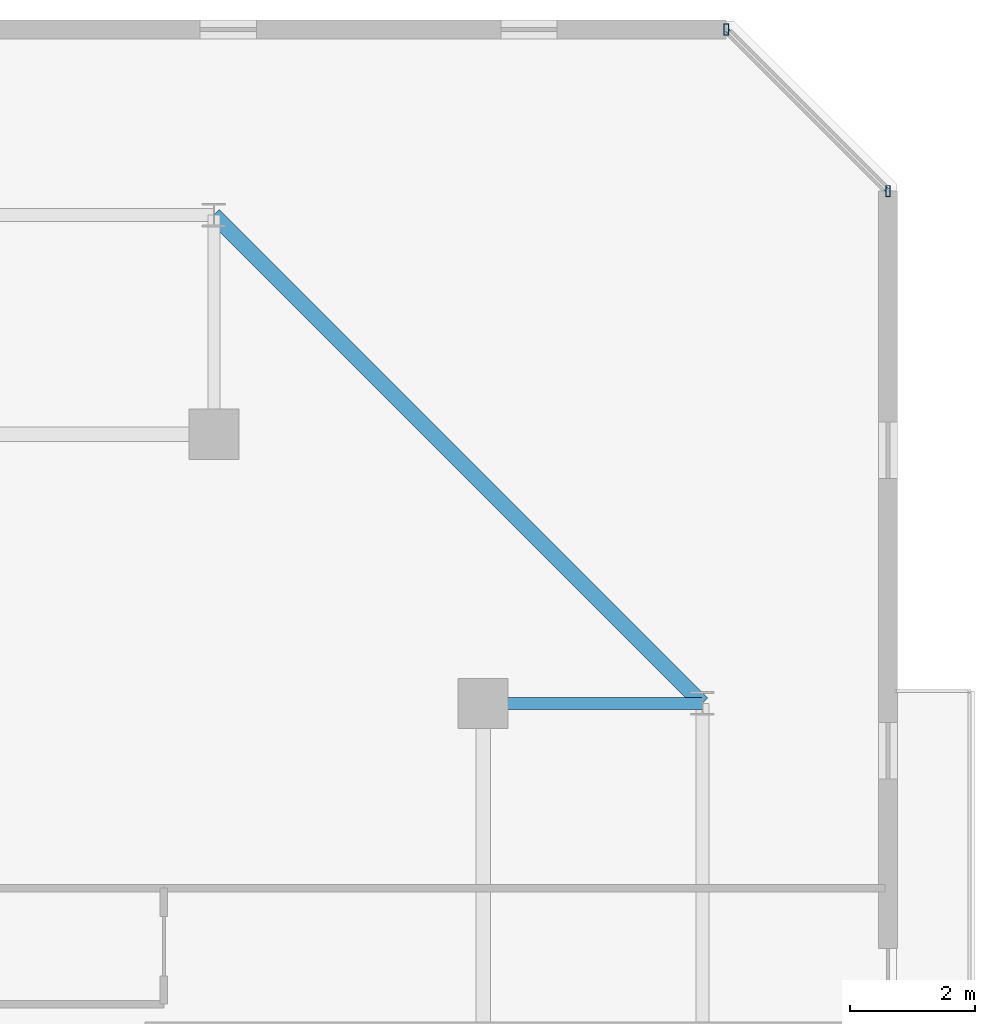
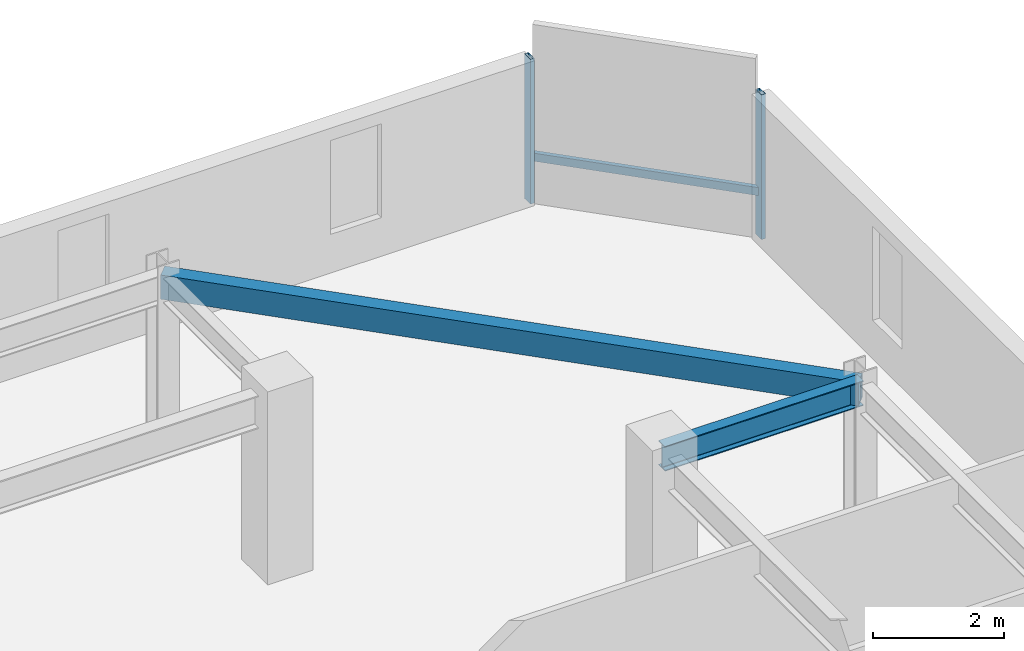
# One storey, part 19 of 35: 3 members, 2 beams, 1 element without a shape of its own.
"""IFC4 building model written with IfcOpenShell, lengths in metres."""

import ifcopenshell
import ifcopenshell.guid

model = None  # the IFC model being written
_history = None  # IfcOwnerHistory: only IFC2X3 demands one
_inside = {}  # id of a spatial element -> (the spatial element, [elements in it])
_under = {}  # id of a project, library or spatial element -> (it, [spatial elements below it])
_declared = {}  # id of a project -> (the project, [libraries it declares])
_typed = {}  # id of a type object -> (the type object, [elements of that type])
_made_of = {}  # id of a material, layer set ... -> (it, [elements and type objects made of it])


def new_model(schema):
    """Start an empty IFC model of exactly this schema.

    Asked for "IFC4X3", IfcOpenShell would pick the latest addendum, in which some entities
    have other attributes; the version numbers below select the first issue.
    IFC2X3 requires an IfcOwnerHistory on every rooted entity: one is made here for all.
    """
    global model, _history
    if schema == "IFC4X3":
        model = ifcopenshell.file(schema_version=(4, 3, 0, 0))
    else:
        model = ifcopenshell.file(schema=schema)
    _inside.clear()
    _under.clear()
    _declared.clear()
    _typed.clear()
    _made_of.clear()
    _history = None
    if model.schema == "IFC2X3":
        org = make("IfcOrganization", Name="unknown")
        user = make(
            "IfcPersonAndOrganization",
            ThePerson=make("IfcPerson", FamilyName="unknown"),
            TheOrganization=org,
        )
        app = make(
            "IfcApplication",
            ApplicationDeveloper=org,
            Version="unknown",
            ApplicationFullName="unknown",
            ApplicationIdentifier="unknown",
        )
        _history = make(
            "IfcOwnerHistory",
            OwningUser=user,
            OwningApplication=app,
            ChangeAction="ADDED",
            CreationDate=0,
        )
    return model


def make(cls, **values):
    """One entity of the class cls with the attributes given. An attribute that is None is left unset."""
    return model.create_entity(
        cls, **{name: value for name, value in values.items() if value is not None}
    )


def rooted(cls, **values):
    """An entity with a GlobalId (a new one), such as an element, a storey or a relation."""
    return make(cls, GlobalId=ifcopenshell.guid.new(), OwnerHistory=_history, **values)


def si_unit(unit_type, name, prefix=None):
    """IfcSIUnit, for example si_unit("LENGTHUNIT", "METRE", prefix="MILLI")."""
    return make("IfcSIUnit", UnitType=unit_type, Prefix=prefix, Name=name)


def assignment(units):
    """IfcUnitAssignment: the units of a project."""
    return None if units is None else make("IfcUnitAssignment", Units=units)


def point(xyz):
    """IfcCartesianPoint."""
    return None if xyz is None else make("IfcCartesianPoint", Coordinates=xyz)


def direction(xyz):
    """IfcDirection."""
    return None if xyz is None else make("IfcDirection", DirectionRatios=xyz)


def frame(location, z_axis=None, x_axis=None):
    """IfcAxis2Placement3D, a coordinate frame: its origin and axes. An axis left out is left unset."""
    return make(
        "IfcAxis2Placement3D",
        Location=point(location),
        Axis=direction(z_axis),
        RefDirection=direction(x_axis),
    )


def frame_2d(location, x_axis=None):
    """IfcAxis2Placement2D, a coordinate frame in the plane: its origin and x axis."""
    return make(
        "IfcAxis2Placement2D", Location=point(location), RefDirection=direction(x_axis)
    )


def origin():
    """The frame at (0, 0, 0) with its axes left unset."""
    return frame((0.0, 0.0, 0.0))


def origin_2d():
    """The frame at (0, 0) in the plane with its x axis left unset."""
    return frame_2d((0.0, 0.0))


def place(relative_to, where):
    """IfcLocalPlacement: puts the frame where relative to a parent placement (None: the world)."""
    return make(
        "IfcLocalPlacement", PlacementRelTo=relative_to, RelativePlacement=where
    )


def context(
    kind, dimensions, precision=None, world=None, true_north=None, identifier=None
):
    """IfcGeometricRepresentationContext, for example the 3D "Model" context."""
    return make(
        "IfcGeometricRepresentationContext",
        ContextIdentifier=identifier,
        ContextType=kind,
        CoordinateSpaceDimension=dimensions,
        Precision=precision,
        WorldCoordinateSystem=world,
        TrueNorth=true_north,
    )


def subcontext(parent, identifier, kind, view, scale=None):
    """IfcGeometricRepresentationSubContext, for example "Body" below "Model"."""
    return make(
        "IfcGeometricRepresentationSubContext",
        ContextIdentifier=identifier,
        ContextType=kind,
        ParentContext=parent,
        TargetScale=scale,
        TargetView=view,
    )


def project(units=None, contexts=None):
    """IfcProject with its units and contexts."""
    return rooted(
        "IfcProject",
        Name="project",
        RepresentationContexts=contexts,
        UnitsInContext=assignment(units),
    )


def spatial(cls, under=None, at=None, **own):
    """A site, building, storey or space (cls), placed at a placement, below another one or the project."""
    s = rooted(cls, ObjectPlacement=at, **own)
    if under is not None:
        _under.setdefault(under.id(), (under, []))[1].append(s)
    return s


def profile(cls, at=None, kind="AREA", **sizes):
    """A parametric profile (cls). Its sizes go by their IFC names, for example OverallWidth=200.0."""
    return make(cls, ProfileType=kind, Position=at, **sizes)


def hollow_rectangle(**sizes):
    """IfcRectangleHollowProfileDef."""
    return profile("IfcRectangleHollowProfileDef", **sizes)


def i_section(**sizes):
    """IfcIShapeProfileDef."""
    return profile("IfcIShapeProfileDef", **sizes)


def extrude(swept, where, along, depth):
    """IfcExtrudedAreaSolid: the profile swept, set in the frame where, extruded along a direction by depth."""
    return make(
        "IfcExtrudedAreaSolid",
        SweptArea=swept,
        Position=where,
        ExtrudedDirection=direction(along),
        Depth=depth,
    )


def shape(context_of_items, identifier, shape_type, items):
    """IfcShapeRepresentation: the items that make up one representation, for example the "Body"."""
    return make(
        "IfcShapeRepresentation",
        ContextOfItems=context_of_items,
        RepresentationIdentifier=identifier,
        RepresentationType=shape_type,
        Items=items,
    )


def material(Name=None, Category=None):
    """IfcMaterial."""
    return make("IfcMaterial", Name=Name, Category=Category)


def material_profile(
    of_material, cross_section, Name=None, Category=None, Priority=None
):
    """IfcMaterialProfile: a cross section and its material."""
    return make(
        "IfcMaterialProfile",
        Name=Name,
        Material=of_material,
        Profile=cross_section,
        Priority=Priority,
        Category=Category,
    )


def profile_set(profiles, Name=None, composite=None):
    """IfcMaterialProfileSet."""
    return make(
        "IfcMaterialProfileSet",
        Name=Name,
        MaterialProfiles=profiles,
        CompositeProfile=composite,
    )


def made_of(thing, what):
    """Note that an element or type object is made of a material, layer set ...; save() writes the relation."""
    if what is not None:
        _made_of.setdefault(what.id(), (what, []))[1].append(thing)
    return thing


def type_object(cls, material=None, **own):
    """A type object (cls), such as IfcWallType, which elements share."""
    return made_of(rooted(cls, **own), material)


def element(
    cls,
    number,
    at=None,
    inside=None,
    cuts=None,
    type_object=None,
    material=None,
    context=None,
    identifier="Body",
    shape_type=None,
    held_by="IfcProductDefinitionShape",
    body=None,
    shapes=None,
    **own,
):
    """One element of the class cls, such as IfcWall. Its Tag is "e" and its number.

    at: its placement. inside: the storey or other place that contains it. cuts: it is an
    opening in that element (IfcRelVoidsElement). A single representation is given by context,
    identifier, shape_type and body (its items); several are given by shapes. held_by: the class
    of the entity that holds the representations. save() writes the other relations.
    """
    e = rooted(cls, Tag="e%d" % number, ObjectPlacement=at, **own)
    if body is not None:
        shapes = [shape(context, identifier, shape_type, body)]
    if shapes is not None:
        e.Representation = make(held_by, Representations=shapes)
    if inside is not None:
        _inside.setdefault(inside.id(), (inside, []))[1].append(e)
    if cuts is not None:
        rooted(
            "IfcRelVoidsElement", RelatingBuildingElement=cuts, RelatedOpeningElement=e
        )
    if type_object is not None:
        _typed.setdefault(type_object.id(), (type_object, []))[1].append(e)
    return made_of(e, material)


def aggregate(whole, parts):
    """IfcRelAggregates: a whole, such as a stair, and the parts it consists of."""
    return rooted("IfcRelAggregates", RelatingObject=whole, RelatedObjects=parts)


def save(model, path):
    """Write the relations noted so far, then the file.

    IfcRelAggregates (storeys below a building ...), IfcRelContainedInSpatialStructure (elements
    in a storey), IfcRelDefinesByType, IfcRelAssociatesMaterial and IfcRelDeclares: one each for
    every whole, place, type object, material and project.
    """
    for whole, parts in _under.values():
        aggregate(whole, parts)
    for where, things in _inside.values():
        rooted(
            "IfcRelContainedInSpatialStructure",
            RelatedElements=things,
            RelatingStructure=where,
        )
    for kind, things in _typed.values():
        rooted("IfcRelDefinesByType", RelatedObjects=things, RelatingType=kind)
    for what, things in _made_of.values():
        rooted("IfcRelAssociatesMaterial", RelatedObjects=things, RelatingMaterial=what)
    for by, libraries in _declared.values():
        rooted("IfcRelDeclares", RelatingContext=by, RelatedDefinitions=libraries)
    model.write(path)


model = new_model("IFC4")

# Units and contexts
model_context = context("Model", 3, precision=1e-05, world=origin(), true_north=direction((0.0, 1.0)))
body_context = subcontext(model_context, "Body", "Model", "MODEL_VIEW")
ifc_project = project(units=[si_unit("LENGTHUNIT", "METRE"), si_unit("AREAUNIT", "SQUARE_METRE"), si_unit("VOLUMEUNIT", "CUBIC_METRE"), si_unit("PLANEANGLEUNIT", "RADIAN"), si_unit("MASSUNIT", "GRAM", prefix="KILO")], contexts=[model_context])

# Site, building, storey
site_placement = place(None, origin())
site = spatial("IfcSite", under=ifc_project, at=site_placement, CompositionType="ELEMENT")
building_placement = place(site_placement, origin())
building = spatial("IfcBuilding", under=site, at=building_placement, Name="Thornwick Lancets Civic Towers", CompositionType="ELEMENT")
storey_placement = place(building_placement, frame((0.0, 0.0, 272.699951171875)))
storey = spatial("IfcBuildingStorey", under=building, at=storey_placement, Name="L73", CompositionType="ELEMENT", Elevation=272.699951171875)

# Beams
ifc_material_1 = material(Name="Steel S355JR", Category="steel")
ifc_material_profile_1 = material_profile(ifc_material_1, i_section(OverallWidth=0.19189453125, OverallDepth=0.46337890625, WebThickness=0.010498046875, FlangeThickness=0.017578125, FilletRadius=0.01025390625, at=origin_2d()), Name="UKB 457x191x89")
ifc_profile_set_1 = profile_set([ifc_material_profile_1], Name="Steel S355JR")
beam_type_1 = type_object("IfcBeamType", Name="BM_JOIST_457_89", PredefinedType="JOIST", material=ifc_profile_set_1)
beam_1_placement = place(storey_placement, frame((105.800048828125, 40.0, 3.12841796875), z_axis=(1.0, 0.0, 0.0), x_axis=(0.0, 1.0, 0.0)))
element("IfcBeam", 1, at=beam_1_placement, inside=storey, type_object=beam_type_1, Name="BM-RAD-L73-B03", PredefinedType="JOIST", context=body_context, shape_type="SweptSolid", body=[
    extrude(i_section(OverallWidth=0.19189453125, OverallDepth=0.46337890625, WebThickness=0.010498046875, FlangeThickness=0.017578125, FilletRadius=0.01025390625, at=origin_2d()), origin(), (0.0, 0.0, 1.0), 3.5),
])
ifc_material_profile_2 = material_profile(ifc_material_1, hollow_rectangle(XDim=0.25, YDim=0.449951171875, WallThickness=0.01611328125, at=origin_2d()), Name="RHS 450x250x16")
ifc_profile_set_2 = profile_set([ifc_material_profile_2], Name="Steel S355JR")
beam_type_2 = type_object("IfcBeamType", Name="BM_RING_RHS450", PredefinedType="BEAM", material=ifc_profile_set_2)
beam_2_placement = place(storey_placement, frame((109.300048828125, 40.0, 3.135009765625), z_axis=(-0.707106781187, 0.707106781187, 0.0), x_axis=(-0.707106781187, -0.707106781187, 0.0)))
element("IfcBeam", 2, at=beam_2_placement, inside=storey, type_object=beam_type_2, Name="BM-CHAMF-L73-B-C0", PredefinedType="BEAM", context=body_context, shape_type="SweptSolid", body=[
    extrude(hollow_rectangle(XDim=0.25, YDim=0.449951171875, WallThickness=0.01611328125, at=origin_2d()), origin(), (0.0, 0.0, 1.0), 11.031005859375),
])

# Curtain wall, members
ifc_material_2 = material(Name="High-zone chamfered-corner unitised glass curtain wall", Category="glass")
curtain_wall_type = type_object("IfcCurtainWallType", Name="CW_SYS_05", PredefinedType="NOTDEFINED", material=ifc_material_2)
curtain_wall_placement = place(storey_placement, origin())
curtain_wall = element("IfcCurtainWall", 3, at=curtain_wall_placement, inside=storey, type_object=curtain_wall_type, Name="L73 Curtain Wall CW-L73-B-E3", PredefinedType="NOTDEFINED")
ifc_material_3 = material(Name="Thermally broken bronze aluminium S355", Category="steel")
ifc_material_profile_3 = material_profile(ifc_material_3, hollow_rectangle(XDim=0.074951171875, YDim=0.179931640625, WallThickness=0.006103515625, at=origin_2d()), Name="RHS 180x75x6")
ifc_profile_set_3 = profile_set([ifc_material_profile_3], Name="Thermally broken bronze aluminium S355")
member_type_1 = type_object("IfcMemberType", Name="CW_MUL_180", PredefinedType="MULLION", material=ifc_profile_set_3)
member_1_placement = place(storey_placement, frame((112.2646484375, 48.181396484375, 0.0), z_axis=(0.0, 0.0, 1.0), x_axis=(1.0, 0.0, 0.0)))
member_1 = element("IfcMember", 4, at=member_1_placement, type_object=member_type_1, Name="CW-L73-B-E3 Mullion 0", PredefinedType="MULLION", context=body_context, shape_type="SweptSolid", body=[
    extrude(hollow_rectangle(XDim=0.074951171875, YDim=0.179931640625, WallThickness=0.006103515625, at=origin_2d()), origin(), (0.0, 0.0, 1.0), 2.699951171875),
])
member_2_placement = place(storey_placement, frame((109.681396484375, 50.7646484375, 0.0), z_axis=(0.0, 0.0, 1.0), x_axis=(1.0, 0.0, 0.0)))
member_2 = element("IfcMember", 5, at=member_2_placement, type_object=member_type_1, Name="CW-L73-B-E3 Mullion 1", PredefinedType="MULLION", context=body_context, shape_type="SweptSolid", body=[
    extrude(hollow_rectangle(XDim=0.074951171875, YDim=0.179931640625, WallThickness=0.006103515625, at=origin_2d()), origin(), (0.0, 0.0, 1.0), 2.699951171875),
])
ifc_material_profile_4 = material_profile(ifc_material_3, hollow_rectangle(XDim=0.074951171875, YDim=0.14990234375, WallThickness=0.0048828125, at=origin_2d()), Name="RHS 150x75x5")
ifc_profile_set_4 = profile_set([ifc_material_profile_4], Name="Thermally broken bronze aluminium S355")
member_type_2 = type_object("IfcMemberType", Name="CW_TRN_150", PredefinedType="USERDEFINED", material=ifc_profile_set_4)
member_3_placement = place(storey_placement, frame((112.25048828125, 48.195556640625, 0.85009765625), z_axis=(-0.707106781187, 0.707106781187, 0.0), x_axis=(-0.707106781187, -0.707106781187, 0.0)))
member_3 = element("IfcMember", 6, at=member_3_placement, type_object=member_type_2, Name="CW-L73-B-E3 Transom 0", ObjectType="TRANSOM", PredefinedType="USERDEFINED", context=body_context, shape_type="SweptSolid", body=[
    extrude(hollow_rectangle(XDim=0.074951171875, YDim=0.14990234375, WallThickness=0.0048828125, at=origin_2d()), origin(), (0.0, 0.0, 1.0), 3.61328125),
])
aggregate(curtain_wall, [member_1, member_2, member_3])

save(model, "model.ifc")
